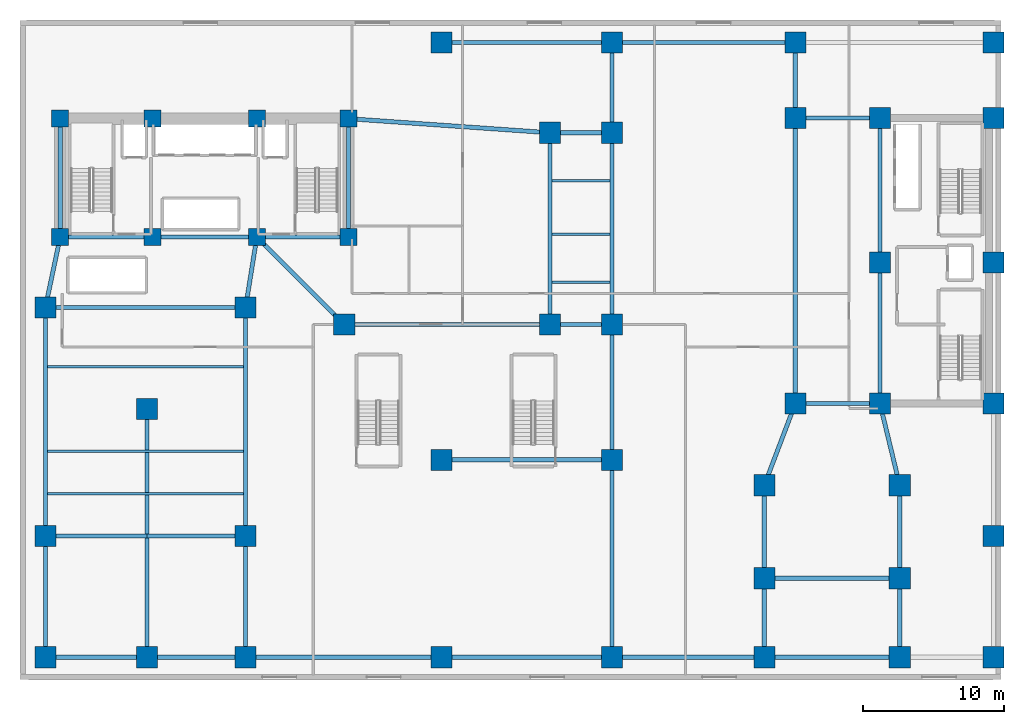
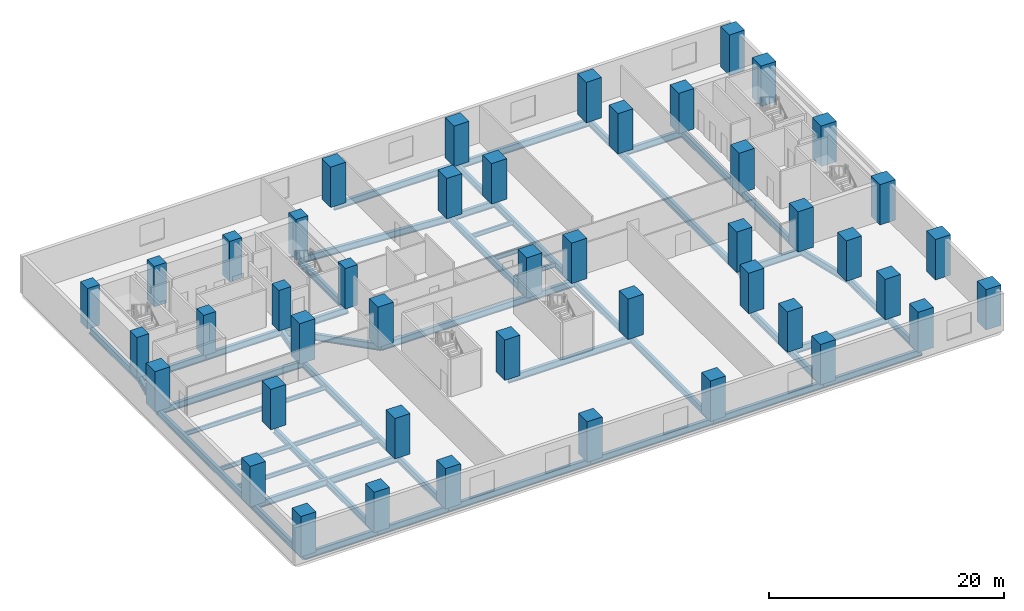
# One storey, part 1 of 8: 54 beams, 45 columns.
"""IFC4 building model written with IfcOpenShell, lengths in metres."""

import ifcopenshell
import ifcopenshell.guid

model = None  # the IFC model being written
_history = None  # IfcOwnerHistory: only IFC2X3 demands one
_inside = {}  # id of a spatial element -> (the spatial element, [elements in it])
_under = {}  # id of a project, library or spatial element -> (it, [spatial elements below it])
_declared = {}  # id of a project -> (the project, [libraries it declares])
_typed = {}  # id of a type object -> (the type object, [elements of that type])
_made_of = {}  # id of a material, layer set ... -> (it, [elements and type objects made of it])


def new_model(schema):
    """Start an empty IFC model of exactly this schema.

    Asked for "IFC4X3", IfcOpenShell would pick the latest addendum, in which some entities
    have other attributes; the version numbers below select the first issue.
    IFC2X3 requires an IfcOwnerHistory on every rooted entity: one is made here for all.
    """
    global model, _history
    if schema == "IFC4X3":
        model = ifcopenshell.file(schema_version=(4, 3, 0, 0))
    else:
        model = ifcopenshell.file(schema=schema)
    _inside.clear()
    _under.clear()
    _declared.clear()
    _typed.clear()
    _made_of.clear()
    _history = None
    if model.schema == "IFC2X3":
        org = make("IfcOrganization", Name="unknown")
        user = make(
            "IfcPersonAndOrganization",
            ThePerson=make("IfcPerson", FamilyName="unknown"),
            TheOrganization=org,
        )
        app = make(
            "IfcApplication",
            ApplicationDeveloper=org,
            Version="unknown",
            ApplicationFullName="unknown",
            ApplicationIdentifier="unknown",
        )
        _history = make(
            "IfcOwnerHistory",
            OwningUser=user,
            OwningApplication=app,
            ChangeAction="ADDED",
            CreationDate=0,
        )
    return model


def make(cls, **values):
    """One entity of the class cls with the attributes given. An attribute that is None is left unset."""
    return model.create_entity(
        cls, **{name: value for name, value in values.items() if value is not None}
    )


def rooted(cls, **values):
    """An entity with a GlobalId (a new one), such as an element, a storey or a relation."""
    return make(cls, GlobalId=ifcopenshell.guid.new(), OwnerHistory=_history, **values)


def si_unit(unit_type, name, prefix=None):
    """IfcSIUnit, for example si_unit("LENGTHUNIT", "METRE", prefix="MILLI")."""
    return make("IfcSIUnit", UnitType=unit_type, Prefix=prefix, Name=name)


def assignment(units):
    """IfcUnitAssignment: the units of a project."""
    return None if units is None else make("IfcUnitAssignment", Units=units)


def point(xyz):
    """IfcCartesianPoint."""
    return None if xyz is None else make("IfcCartesianPoint", Coordinates=xyz)


def direction(xyz):
    """IfcDirection."""
    return None if xyz is None else make("IfcDirection", DirectionRatios=xyz)


def frame(location, z_axis=None, x_axis=None):
    """IfcAxis2Placement3D, a coordinate frame: its origin and axes. An axis left out is left unset."""
    return make(
        "IfcAxis2Placement3D",
        Location=point(location),
        Axis=direction(z_axis),
        RefDirection=direction(x_axis),
    )


def frame_2d(location, x_axis=None):
    """IfcAxis2Placement2D, a coordinate frame in the plane: its origin and x axis."""
    return make(
        "IfcAxis2Placement2D", Location=point(location), RefDirection=direction(x_axis)
    )


def origin():
    """The frame at (0, 0, 0) with its axes left unset."""
    return frame((0.0, 0.0, 0.0))


def origin_2d():
    """The frame at (0, 0) in the plane with its x axis left unset."""
    return frame_2d((0.0, 0.0))


def place(relative_to, where):
    """IfcLocalPlacement: puts the frame where relative to a parent placement (None: the world)."""
    return make(
        "IfcLocalPlacement", PlacementRelTo=relative_to, RelativePlacement=where
    )


def context(
    kind, dimensions, precision=None, world=None, true_north=None, identifier=None
):
    """IfcGeometricRepresentationContext, for example the 3D "Model" context."""
    return make(
        "IfcGeometricRepresentationContext",
        ContextIdentifier=identifier,
        ContextType=kind,
        CoordinateSpaceDimension=dimensions,
        Precision=precision,
        WorldCoordinateSystem=world,
        TrueNorth=true_north,
    )


def subcontext(parent, identifier, kind, view, scale=None):
    """IfcGeometricRepresentationSubContext, for example "Body" below "Model"."""
    return make(
        "IfcGeometricRepresentationSubContext",
        ContextIdentifier=identifier,
        ContextType=kind,
        ParentContext=parent,
        TargetScale=scale,
        TargetView=view,
    )


def project(units=None, contexts=None):
    """IfcProject with its units and contexts."""
    return rooted(
        "IfcProject",
        Name="project",
        RepresentationContexts=contexts,
        UnitsInContext=assignment(units),
    )


def spatial(cls, under=None, at=None, **own):
    """A site, building, storey or space (cls), placed at a placement, below another one or the project."""
    s = rooted(cls, ObjectPlacement=at, **own)
    if under is not None:
        _under.setdefault(under.id(), (under, []))[1].append(s)
    return s


def profile(cls, at=None, kind="AREA", **sizes):
    """A parametric profile (cls). Its sizes go by their IFC names, for example OverallWidth=200.0."""
    return make(cls, ProfileType=kind, Position=at, **sizes)


def rectangle(**sizes):
    """IfcRectangleProfileDef."""
    return profile("IfcRectangleProfileDef", **sizes)


def i_section(**sizes):
    """IfcIShapeProfileDef."""
    return profile("IfcIShapeProfileDef", **sizes)


def extrude(swept, where, along, depth):
    """IfcExtrudedAreaSolid: the profile swept, set in the frame where, extruded along a direction by depth."""
    return make(
        "IfcExtrudedAreaSolid",
        SweptArea=swept,
        Position=where,
        ExtrudedDirection=direction(along),
        Depth=depth,
    )


def shape(context_of_items, identifier, shape_type, items):
    """IfcShapeRepresentation: the items that make up one representation, for example the "Body"."""
    return make(
        "IfcShapeRepresentation",
        ContextOfItems=context_of_items,
        RepresentationIdentifier=identifier,
        RepresentationType=shape_type,
        Items=items,
    )


def material(Name=None, Category=None):
    """IfcMaterial."""
    return make("IfcMaterial", Name=Name, Category=Category)


def material_profile(
    of_material, cross_section, Name=None, Category=None, Priority=None
):
    """IfcMaterialProfile: a cross section and its material."""
    return make(
        "IfcMaterialProfile",
        Name=Name,
        Material=of_material,
        Profile=cross_section,
        Priority=Priority,
        Category=Category,
    )


def profile_set(profiles, Name=None, composite=None):
    """IfcMaterialProfileSet."""
    return make(
        "IfcMaterialProfileSet",
        Name=Name,
        MaterialProfiles=profiles,
        CompositeProfile=composite,
    )


def made_of(thing, what):
    """Note that an element or type object is made of a material, layer set ...; save() writes the relation."""
    if what is not None:
        _made_of.setdefault(what.id(), (what, []))[1].append(thing)
    return thing


def type_object(cls, material=None, **own):
    """A type object (cls), such as IfcWallType, which elements share."""
    return made_of(rooted(cls, **own), material)


def element(
    cls,
    number,
    at=None,
    inside=None,
    cuts=None,
    type_object=None,
    material=None,
    context=None,
    identifier="Body",
    shape_type=None,
    held_by="IfcProductDefinitionShape",
    body=None,
    shapes=None,
    **own,
):
    """One element of the class cls, such as IfcWall. Its Tag is "e" and its number.

    at: its placement. inside: the storey or other place that contains it. cuts: it is an
    opening in that element (IfcRelVoidsElement). A single representation is given by context,
    identifier, shape_type and body (its items); several are given by shapes. held_by: the class
    of the entity that holds the representations. save() writes the other relations.
    """
    e = rooted(cls, Tag="e%d" % number, ObjectPlacement=at, **own)
    if body is not None:
        shapes = [shape(context, identifier, shape_type, body)]
    if shapes is not None:
        e.Representation = make(held_by, Representations=shapes)
    if inside is not None:
        _inside.setdefault(inside.id(), (inside, []))[1].append(e)
    if cuts is not None:
        rooted(
            "IfcRelVoidsElement", RelatingBuildingElement=cuts, RelatedOpeningElement=e
        )
    if type_object is not None:
        _typed.setdefault(type_object.id(), (type_object, []))[1].append(e)
    return made_of(e, material)


def aggregate(whole, parts):
    """IfcRelAggregates: a whole, such as a stair, and the parts it consists of."""
    return rooted("IfcRelAggregates", RelatingObject=whole, RelatedObjects=parts)


def save(model, path):
    """Write the relations noted so far, then the file.

    IfcRelAggregates (storeys below a building ...), IfcRelContainedInSpatialStructure (elements
    in a storey), IfcRelDefinesByType, IfcRelAssociatesMaterial and IfcRelDeclares: one each for
    every whole, place, type object, material and project.
    """
    for whole, parts in _under.values():
        aggregate(whole, parts)
    for where, things in _inside.values():
        rooted(
            "IfcRelContainedInSpatialStructure",
            RelatedElements=things,
            RelatingStructure=where,
        )
    for kind, things in _typed.values():
        rooted("IfcRelDefinesByType", RelatedObjects=things, RelatingType=kind)
    for what, things in _made_of.values():
        rooted("IfcRelAssociatesMaterial", RelatedObjects=things, RelatingMaterial=what)
    for by, libraries in _declared.values():
        rooted("IfcRelDeclares", RelatingContext=by, RelatedDefinitions=libraries)
    model.write(path)


model = new_model("IFC4")

# Units and contexts
model_context = context("Model", 3, precision=1e-05, world=origin(), true_north=direction((0.0, 1.0)))
body_context = subcontext(model_context, "Body", "Model", "MODEL_VIEW")
ifc_project = project(units=[si_unit("LENGTHUNIT", "METRE"), si_unit("AREAUNIT", "SQUARE_METRE"), si_unit("VOLUMEUNIT", "CUBIC_METRE"), si_unit("PLANEANGLEUNIT", "RADIAN"), si_unit("MASSUNIT", "GRAM", prefix="KILO")], contexts=[model_context])

# Site, building, storey
site_placement = place(None, origin())
site = spatial("IfcSite", under=ifc_project, at=site_placement, CompositionType="ELEMENT")
building_placement = place(site_placement, origin())
building = spatial("IfcBuilding", under=site, at=building_placement, Name="Kuzgunbayir Cultural Tower", CompositionType="ELEMENT")
storey_placement = place(building_placement, frame((0.0, 0.0, 17.60009765625)))
storey = spatial("IfcBuildingStorey", under=building, at=storey_placement, Name="L04", CompositionType="ELEMENT", Elevation=17.60009765625)

# Columns
ifc_material_1 = material(Name="Concrete C60/75", Category="concrete")
ifc_material_profile_1 = material_profile(ifc_material_1, rectangle(XDim=1.199951171875, YDim=1.199951171875, at=origin_2d()), Name="RC 1200x1200")
ifc_profile_set_1 = profile_set([ifc_material_profile_1], Name="Concrete C60/75")
column_type_1 = type_object("IfcColumnType", Name="COL-CORE-1200", PredefinedType="COLUMN", material=ifc_profile_set_1)
for number, where, z_axis, x_axis, name in (
    (1, (6.449951171875, 33.800048828125, 0.0), (0.0, 0.0, 1.0), (1.0, 0.0, 0.0), "L04 T1 Core Boundary Column CC1-1"),
    (2, (13.0, 33.800048828125, 0.0), (0.0, 0.0, 1.0), (1.0, 0.0, 0.0), "L04 T1 Core Boundary Column CC1-2"),
    (3, (20.39990234375, 33.800048828125, 0.0), (0.0, 0.0, 1.0), (1.0, 0.0, 0.0), "L04 T1 Core Boundary Column CC1-3"),
    (4, (26.89990234375, 33.800048828125, 0.0), (0.0, 0.0, 1.0), (1.0, 0.0, 0.0), "L04 T1 Core Boundary Column CC1-4"),
    (5, (6.449951171875, 42.199951171875, 0.0), (0.0, 0.0, 1.0), (1.0, 0.0, 0.0), "L04 T1 Core Boundary Column CC1-5"),
    (6, (13.0, 42.199951171875, 0.0), (0.0, 0.0, 1.0), (1.0, 0.0, 0.0), "L04 T1 Core Boundary Column CC1-6"),
    (7, (20.39990234375, 42.199951171875, 0.0), (0.0, 0.0, 1.0), (1.0, 0.0, 0.0), "L04 T1 Core Boundary Column CC1-7"),
    (8, (26.89990234375, 42.199951171875, 0.0), (0.0, 0.0, 1.0), (1.0, 0.0, 0.0), "L04 T1 Core Boundary Column CC1-8"),
):
    element("IfcColumn", number, at=place(storey_placement, frame(where, z_axis=z_axis, x_axis=x_axis)), inside=storey, type_object=column_type_1, Name=name, PredefinedType="COLUMN", context=body_context, shape_type="SweptSolid", body=[
        extrude(rectangle(XDim=1.199951171875, YDim=1.199951171875, at=origin_2d()), origin(), (0.0, 0.0, 1.0), 4.199951171875),
    ])
ifc_material_profile_2 = material_profile(ifc_material_1, rectangle(XDim=1.5, YDim=1.5, at=origin_2d()), Name="RC 1500x1500")
ifc_profile_set_2 = profile_set([ifc_material_profile_2], Name="Concrete C60/75")
column_type_2 = type_object("IfcColumnType", Name="COL-MEGA-1500", PredefinedType="COLUMN", material=ifc_profile_set_2)
for number, where, z_axis, x_axis, name in (
    (9, (64.60009765625, 22.0, 0.0), (0.0, 0.0, 1.0), (1.0, 0.0, 0.0), "L04 T2 Core Boundary Column CC2-1"),
    (10, (72.64990234375, 22.0, 0.0), (0.0, 0.0, 1.0), (1.0, 0.0, 0.0), "L04 T2 Core Boundary Column CC2-2"),
    (11, (64.60009765625, 32.0, 0.0), (0.0, 0.0, 1.0), (1.0, 0.0, 0.0), "L04 T2 Core Boundary Column CC2-3"),
    (12, (72.64990234375, 32.0, 0.0), (0.0, 0.0, 1.0), (1.0, 0.0, 0.0), "L04 T2 Core Boundary Column CC2-4"),
    (13, (64.60009765625, 42.25, 0.0), (0.0, 0.0, 1.0), (1.0, 0.0, 0.0), "L04 T2 Core Boundary Column CC2-5"),
    (14, (72.64990234375, 42.25, 0.0), (0.0, 0.0, 1.0), (1.0, 0.0, 0.0), "L04 T2 Core Boundary Column CC2-6"),
    (15, (5.39990234375, 12.60009765625, 0.0), (0.0, 0.0, 1.0), (1.0, 0.0, 0.0), "L04 Podium Mega-Column PC-T1A-SW"),
    (16, (19.60009765625, 12.60009765625, 0.0), (0.0, 0.0, 1.0), (1.0, 0.0, 0.0), "L04 Podium Mega-Column PC-T1A-SE"),
    (17, (5.39990234375, 28.800048828125, 0.0), (0.0, 0.0, 1.0), (1.0, 0.0, 0.0), "L04 Podium Mega-Column PC-T1A-NW"),
    (18, (19.60009765625, 28.800048828125, 0.0), (0.0, 0.0, 1.0), (1.0, 0.0, 0.0), "L04 Podium Mega-Column PC-T1A-NE"),
    (19, (26.60009765625, 27.60009765625, 0.0), (0.0, 0.0, 1.0), (1.0, 0.0, 0.0), "L04 Podium Mega-Column PC-T1B-1S"),
    (20, (41.199951171875, 27.60009765625, 0.0), (0.0, 0.0, 1.0), (1.0, 0.0, 0.0), "L04 Podium Mega-Column PC-T1B-4S"),
    (21, (45.60009765625, 27.60009765625, 0.0), (0.0, 0.0, 1.0), (1.0, 0.0, 0.0), "L04 Podium Mega-Column PC-T1B-5S"),
    (22, (41.199951171875, 41.199951171875, 0.0), (0.0, 0.0, 1.0), (1.0, 0.0, 0.0), "L04 Podium Mega-Column PC-T1B-4N"),
    (23, (45.60009765625, 41.199951171875, 0.0), (0.0, 0.0, 1.0), (1.0, 0.0, 0.0), "L04 Podium Mega-Column PC-T1B-5N"),
    (24, (58.60009765625, 22.0, 0.0), (0.0, 0.0, 1.0), (1.0, 0.0, 0.0), "L04 Podium Mega-Column PC-T2A-SW"),
    (25, (58.60009765625, 42.25, 0.0), (0.0, 0.0, 1.0), (1.0, 0.0, 0.0), "L04 Podium Mega-Column PC-T2A-NW"),
    (26, (56.39990234375, 9.60009765625, 0.0), (0.0, 0.0, 1.0), (1.0, 0.0, 0.0), "L04 Podium Mega-Column PC-T2B-SW"),
    (27, (66.0, 9.60009765625, 0.0), (0.0, 0.0, 1.0), (1.0, 0.0, 0.0), "L04 Podium Mega-Column PC-T2B-SE"),
    (28, (56.39990234375, 16.199951171875, 0.0), (0.0, 0.0, 1.0), (1.0, 0.0, 0.0), "L04 Podium Mega-Column PC-T2B-MW"),
    (29, (66.0, 16.199951171875, 0.0), (0.0, 0.0, 1.0), (1.0, 0.0, 0.0), "L04 Podium Mega-Column PC-T2B-ME"),
    (30, (5.39990234375, 4.0, 0.0), (0.0, 0.0, 1.0), (1.0, 0.0, 0.0), "L04 Podium Mega-Column PC-P01"),
    (31, (12.60009765625, 4.0, 0.0), (0.0, 0.0, 1.0), (1.0, 0.0, 0.0), "L04 Podium Mega-Column PC-P02"),
    (32, (19.60009765625, 4.0, 0.0), (0.0, 0.0, 1.0), (1.0, 0.0, 0.0), "L04 Podium Mega-Column PC-P03"),
    (33, (33.5, 4.0, 0.0), (0.0, 0.0, 1.0), (1.0, 0.0, 0.0), "L04 Podium Mega-Column PC-P04"),
    (34, (45.60009765625, 4.0, 0.0), (0.0, 0.0, 1.0), (1.0, 0.0, 0.0), "L04 Podium Mega-Column PC-P05"),
    (35, (56.39990234375, 4.0, 0.0), (0.0, 0.0, 1.0), (1.0, 0.0, 0.0), "L04 Podium Mega-Column PC-P06"),
    (36, (66.0, 4.0, 0.0), (0.0, 0.0, 1.0), (1.0, 0.0, 0.0), "L04 Podium Mega-Column PC-P07"),
    (37, (72.64990234375, 4.0, 0.0), (0.0, 0.0, 1.0), (1.0, 0.0, 0.0), "L04 Podium Mega-Column PC-P08"),
    (38, (12.60009765625, 21.60009765625, 0.0), (0.0, 0.0, 1.0), (1.0, 0.0, 0.0), "L04 Podium Mega-Column PC-P09"),
    (39, (33.5, 18.0, 0.0), (0.0, 0.0, 1.0), (1.0, 0.0, 0.0), "L04 Podium Mega-Column PC-P10"),
    (40, (45.60009765625, 18.0, 0.0), (0.0, 0.0, 1.0), (1.0, 0.0, 0.0), "L04 Podium Mega-Column PC-P11"),
    (41, (72.64990234375, 12.60009765625, 0.0), (0.0, 0.0, 1.0), (1.0, 0.0, 0.0), "L04 Podium Mega-Column PC-P12"),
    (42, (33.5, 47.60009765625, 0.0), (0.0, 0.0, 1.0), (1.0, 0.0, 0.0), "L04 Podium Mega-Column PC-P13"),
    (43, (45.60009765625, 47.60009765625, 0.0), (0.0, 0.0, 1.0), (1.0, 0.0, 0.0), "L04 Podium Mega-Column PC-P14"),
    (44, (58.60009765625, 47.60009765625, 0.0), (0.0, 0.0, 1.0), (1.0, 0.0, 0.0), "L04 Podium Mega-Column PC-P15"),
    (45, (72.64990234375, 47.60009765625, 0.0), (0.0, 0.0, 1.0), (1.0, 0.0, 0.0), "L04 Podium Mega-Column PC-P16"),
):
    element("IfcColumn", number, at=place(storey_placement, frame(where, z_axis=z_axis, x_axis=x_axis)), inside=storey, type_object=column_type_2, Name=name, PredefinedType="COLUMN", context=body_context, shape_type="SweptSolid", body=[
        extrude(rectangle(XDim=1.5, YDim=1.5, at=origin_2d()), origin(), (0.0, 0.0, 1.0), 4.199951171875),
    ])

# Beams
ifc_material_2 = material(Name="Steel S355J2", Category="steel")
ifc_material_profile_3 = material_profile(ifc_material_2, i_section(OverallWidth=0.300048828125, OverallDepth=0.699951171875, WebThickness=0.01708984375, FlangeThickness=0.031982421875, FilletRadius=0.027099609375, at=origin_2d()), Name="HEB 700")
ifc_profile_set_3 = profile_set([ifc_material_profile_3], Name="Steel S355J2")
beam_type_1 = type_object("IfcBeamType", Name="BM-GIR-HEB700", PredefinedType="BEAM", material=ifc_profile_set_3)
beam_1_placement = place(storey_placement, frame((5.39990234375, 4.0, -0.60009765625), z_axis=(1.0, 0.0, 0.0), x_axis=(0.0, 1.0, 0.0)))
element("IfcBeam", 46, at=beam_1_placement, inside=storey, type_object=beam_type_1, Name="L04 Podium South Girder 1", PredefinedType="BEAM", context=body_context, shape_type="SweptSolid", body=[
    extrude(i_section(OverallWidth=0.300048828125, OverallDepth=0.699951171875, WebThickness=0.01708984375, FlangeThickness=0.031982421875, FilletRadius=0.027099609375, at=origin_2d()), origin(), (0.0, 0.0, 1.0), 7.2001953125),
])
beam_2_placement = place(storey_placement, frame((12.60009765625, 4.0, -0.60009765625), z_axis=(1.0, 0.0, 0.0), x_axis=(0.0, 1.0, 0.0)))
element("IfcBeam", 47, at=beam_2_placement, inside=storey, type_object=beam_type_1, Name="L04 Podium South Girder 2", PredefinedType="BEAM", context=body_context, shape_type="SweptSolid", body=[
    extrude(i_section(OverallWidth=0.300048828125, OverallDepth=0.699951171875, WebThickness=0.01708984375, FlangeThickness=0.031982421875, FilletRadius=0.027099609375, at=origin_2d()), origin(), (0.0, 0.0, 1.0), 7.0),
])
beam_3_placement = place(storey_placement, frame((19.60009765625, 4.0, -0.60009765625), z_axis=(1.0, 0.0, 0.0), x_axis=(0.0, 1.0, 0.0)))
element("IfcBeam", 48, at=beam_3_placement, inside=storey, type_object=beam_type_1, Name="L04 Podium South Girder 3", PredefinedType="BEAM", context=body_context, shape_type="SweptSolid", body=[
    extrude(i_section(OverallWidth=0.300048828125, OverallDepth=0.699951171875, WebThickness=0.01708984375, FlangeThickness=0.031982421875, FilletRadius=0.027099609375, at=origin_2d()), origin(), (0.0, 0.0, 1.0), 13.89990234375),
])
beam_4_placement = place(storey_placement, frame((33.5, 4.0, -0.60009765625), z_axis=(1.0, 0.0, 0.0), x_axis=(0.0, 1.0, 0.0)))
element("IfcBeam", 49, at=beam_4_placement, inside=storey, type_object=beam_type_1, Name="L04 Podium South Girder 4", PredefinedType="BEAM", context=body_context, shape_type="SweptSolid", body=[
    extrude(i_section(OverallWidth=0.300048828125, OverallDepth=0.699951171875, WebThickness=0.01708984375, FlangeThickness=0.031982421875, FilletRadius=0.027099609375, at=origin_2d()), origin(), (0.0, 0.0, 1.0), 12.10009765625),
])
beam_5_placement = place(storey_placement, frame((45.60009765625, 4.0, -0.60009765625), z_axis=(1.0, 0.0, 0.0), x_axis=(0.0, 1.0, 0.0)))
element("IfcBeam", 50, at=beam_5_placement, inside=storey, type_object=beam_type_1, Name="L04 Podium South Girder 5", PredefinedType="BEAM", context=body_context, shape_type="SweptSolid", body=[
    extrude(i_section(OverallWidth=0.300048828125, OverallDepth=0.699951171875, WebThickness=0.01708984375, FlangeThickness=0.031982421875, FilletRadius=0.027099609375, at=origin_2d()), origin(), (0.0, 0.0, 1.0), 10.7998046875),
])
beam_6_placement = place(storey_placement, frame((56.39990234375, 4.0, -0.60009765625), z_axis=(1.0, 0.0, 0.0), x_axis=(0.0, 1.0, 0.0)))
element("IfcBeam", 51, at=beam_6_placement, inside=storey, type_object=beam_type_1, Name="L04 Podium South Girder 6", PredefinedType="BEAM", context=body_context, shape_type="SweptSolid", body=[
    extrude(i_section(OverallWidth=0.300048828125, OverallDepth=0.699951171875, WebThickness=0.01708984375, FlangeThickness=0.031982421875, FilletRadius=0.027099609375, at=origin_2d()), origin(), (0.0, 0.0, 1.0), 9.60009765625),
])
beam_7_placement = place(storey_placement, frame((33.5, 47.60009765625, -0.60009765625), z_axis=(1.0, 0.0, 0.0), x_axis=(0.0, 1.0, 0.0)))
element("IfcBeam", 52, at=beam_7_placement, inside=storey, type_object=beam_type_1, Name="L04 Podium North Girder 1", PredefinedType="BEAM", context=body_context, shape_type="SweptSolid", body=[
    extrude(i_section(OverallWidth=0.300048828125, OverallDepth=0.699951171875, WebThickness=0.01708984375, FlangeThickness=0.031982421875, FilletRadius=0.027099609375, at=origin_2d()), origin(), (0.0, 0.0, 1.0), 12.10009765625),
])
beam_8_placement = place(storey_placement, frame((45.60009765625, 47.60009765625, -0.60009765625), z_axis=(1.0, 0.0, 0.0), x_axis=(0.0, 1.0, 0.0)))
element("IfcBeam", 53, at=beam_8_placement, inside=storey, type_object=beam_type_1, Name="L04 Podium North Girder 2", PredefinedType="BEAM", context=body_context, shape_type="SweptSolid", body=[
    extrude(i_section(OverallWidth=0.300048828125, OverallDepth=0.699951171875, WebThickness=0.01708984375, FlangeThickness=0.031982421875, FilletRadius=0.027099609375, at=origin_2d()), origin(), (0.0, 0.0, 1.0), 13.0),
])
beam_9_placement = place(storey_placement, frame((5.39990234375, 12.60009765625, -0.60009765625), z_axis=(1.0, 0.0, 0.0), x_axis=(0.0, 1.0, 0.0)))
element("IfcBeam", 54, at=beam_9_placement, inside=storey, type_object=beam_type_1, Name="L04 Podium Primary Girder 1", PredefinedType="BEAM", context=body_context, shape_type="SweptSolid", body=[
    extrude(i_section(OverallWidth=0.300048828125, OverallDepth=0.699951171875, WebThickness=0.01708984375, FlangeThickness=0.031982421875, FilletRadius=0.027099609375, at=origin_2d()), origin(), (0.0, 0.0, 1.0), 7.2001953125),
])
beam_10_placement = place(storey_placement, frame((12.60009765625, 12.60009765625, -0.60009765625), z_axis=(1.0, 0.0, 0.0), x_axis=(0.0, 1.0, 0.0)))
element("IfcBeam", 55, at=beam_10_placement, inside=storey, type_object=beam_type_1, Name="L04 Podium Primary Girder 2", PredefinedType="BEAM", context=body_context, shape_type="SweptSolid", body=[
    extrude(i_section(OverallWidth=0.300048828125, OverallDepth=0.699951171875, WebThickness=0.01708984375, FlangeThickness=0.031982421875, FilletRadius=0.027099609375, at=origin_2d()), origin(), (0.0, 0.0, 1.0), 7.0),
])
beam_11_placement = place(storey_placement, frame((5.39990234375, 28.800048828125, -0.60009765625), z_axis=(1.0, 0.0, 0.0), x_axis=(0.0, 1.0, 0.0)))
element("IfcBeam", 56, at=beam_11_placement, inside=storey, type_object=beam_type_1, Name="L04 Podium Primary Girder 3", PredefinedType="BEAM", context=body_context, shape_type="SweptSolid", body=[
    extrude(i_section(OverallWidth=0.300048828125, OverallDepth=0.699951171875, WebThickness=0.01708984375, FlangeThickness=0.031982421875, FilletRadius=0.027099609375, at=origin_2d()), origin(), (0.0, 0.0, 1.0), 14.2001953125),
])
for number, where, z_axis, x_axis, name in (
    (57, (5.39990234375, 12.60009765625, -0.60009765625), (0.0, 1.0, 0.0), (-1.0, 0.0, 0.0), "L04 Podium Primary Girder 4"),
    (58, (19.60009765625, 12.60009765625, -0.60009765625), (0.0, 1.0, 0.0), (-1.0, 0.0, 0.0), "L04 Podium Primary Girder 5"),
):
    element("IfcBeam", number, at=place(storey_placement, frame(where, z_axis=z_axis, x_axis=x_axis)), inside=storey, type_object=beam_type_1, Name=name, PredefinedType="BEAM", context=body_context, shape_type="SweptSolid", body=[
        extrude(i_section(OverallWidth=0.300048828125, OverallDepth=0.699951171875, WebThickness=0.01708984375, FlangeThickness=0.031982421875, FilletRadius=0.027099609375, at=origin_2d()), origin(), (0.0, 0.0, 1.0), 16.199951171875),
    ])
beam_12_placement = place(storey_placement, frame((12.60009765625, 12.60009765625, -0.60009765625), z_axis=(0.0, 1.0, 0.0), x_axis=(-1.0, 0.0, 0.0)))
element("IfcBeam", 59, at=beam_12_placement, inside=storey, type_object=beam_type_1, Name="L04 Podium Primary Girder 6", PredefinedType="BEAM", context=body_context, shape_type="SweptSolid", body=[
    extrude(i_section(OverallWidth=0.300048828125, OverallDepth=0.699951171875, WebThickness=0.01708984375, FlangeThickness=0.031982421875, FilletRadius=0.027099609375, at=origin_2d()), origin(), (0.0, 0.0, 1.0), 9.0),
])
beam_13_placement = place(storey_placement, frame((5.39990234375, 28.800048828125, -0.60009765625), z_axis=(0.205526387753, 0.978651574329, 0.0), x_axis=(-0.978651574329, 0.205526387753, 0.0)))
element("IfcBeam", 60, at=beam_13_placement, inside=storey, type_object=beam_type_1, Name="L04 Podium Primary Girder 7", PredefinedType="BEAM", context=body_context, shape_type="SweptSolid", body=[
    extrude(i_section(OverallWidth=0.300048828125, OverallDepth=0.699951171875, WebThickness=0.01708984375, FlangeThickness=0.031982421875, FilletRadius=0.027099609375, at=origin_2d()), origin(), (0.0, 0.0, 1.0), 5.109130859375),
])
beam_14_placement = place(storey_placement, frame((19.60009765625, 28.800048828125, -0.60009765625), z_axis=(0.157952891656, 0.987446648694, 0.0), x_axis=(-0.987446648694, 0.157952891656, 0.0)))
element("IfcBeam", 61, at=beam_14_placement, inside=storey, type_object=beam_type_1, Name="L04 Podium Primary Girder 8", PredefinedType="BEAM", context=body_context, shape_type="SweptSolid", body=[
    extrude(i_section(OverallWidth=0.300048828125, OverallDepth=0.699951171875, WebThickness=0.01708984375, FlangeThickness=0.031982421875, FilletRadius=0.027099609375, at=origin_2d()), origin(), (0.0, 0.0, 1.0), 5.0634765625),
])
beam_15_placement = place(storey_placement, frame((20.39990234375, 33.800048828125, -0.60009765625), z_axis=(0.707120702941, -0.707092859158, 0.0), x_axis=(0.707092859158, 0.707120702941, 0.0)))
element("IfcBeam", 62, at=beam_15_placement, inside=storey, type_object=beam_type_1, Name="L04 Podium Primary Girder 9", PredefinedType="BEAM", context=body_context, shape_type="SweptSolid", body=[
    extrude(i_section(OverallWidth=0.300048828125, OverallDepth=0.699951171875, WebThickness=0.01708984375, FlangeThickness=0.031982421875, FilletRadius=0.027099609375, at=origin_2d()), origin(), (0.0, 0.0, 1.0), 8.768310546875),
])
beam_16_placement = place(storey_placement, frame((26.60009765625, 27.60009765625, -0.60009765625), z_axis=(1.0, 0.0, 0.0), x_axis=(0.0, 1.0, 0.0)))
element("IfcBeam", 63, at=beam_16_placement, inside=storey, type_object=beam_type_1, Name="L04 Podium Primary Girder 10", PredefinedType="BEAM", context=body_context, shape_type="SweptSolid", body=[
    extrude(i_section(OverallWidth=0.300048828125, OverallDepth=0.699951171875, WebThickness=0.01708984375, FlangeThickness=0.031982421875, FilletRadius=0.027099609375, at=origin_2d()), origin(), (0.0, 0.0, 1.0), 14.599853515625),
])
beam_17_placement = place(storey_placement, frame((41.199951171875, 27.60009765625, -0.60009765625), z_axis=(1.0, 0.0, 0.0), x_axis=(0.0, 1.0, 0.0)))
element("IfcBeam", 64, at=beam_17_placement, inside=storey, type_object=beam_type_1, Name="L04 Podium Primary Girder 11", PredefinedType="BEAM", context=body_context, shape_type="SweptSolid", body=[
    extrude(i_section(OverallWidth=0.300048828125, OverallDepth=0.699951171875, WebThickness=0.01708984375, FlangeThickness=0.031982421875, FilletRadius=0.027099609375, at=origin_2d()), origin(), (0.0, 0.0, 1.0), 4.400146484375),
])
beam_18_placement = place(storey_placement, frame((26.89990234375, 42.199951171875, -0.60009765625), z_axis=(0.997563840671, -0.06975947094, 0.0), x_axis=(0.06975947094, 0.997563840671, 0.0)))
element("IfcBeam", 65, at=beam_18_placement, inside=storey, type_object=beam_type_1, Name="L04 Podium Primary Girder 12", PredefinedType="BEAM", context=body_context, shape_type="SweptSolid", body=[
    extrude(i_section(OverallWidth=0.300048828125, OverallDepth=0.699951171875, WebThickness=0.01708984375, FlangeThickness=0.031982421875, FilletRadius=0.027099609375, at=origin_2d()), origin(), (0.0, 0.0, 1.0), 14.3349609375),
])
beam_19_placement = place(storey_placement, frame((41.199951171875, 41.199951171875, -0.60009765625), z_axis=(1.0, 0.0, 0.0), x_axis=(0.0, 1.0, 0.0)))
element("IfcBeam", 66, at=beam_19_placement, inside=storey, type_object=beam_type_1, Name="L04 Podium Primary Girder 13", PredefinedType="BEAM", context=body_context, shape_type="SweptSolid", body=[
    extrude(i_section(OverallWidth=0.300048828125, OverallDepth=0.699951171875, WebThickness=0.01708984375, FlangeThickness=0.031982421875, FilletRadius=0.027099609375, at=origin_2d()), origin(), (0.0, 0.0, 1.0), 4.400146484375),
])
for number, where, z_axis, x_axis, name in (
    (67, (41.199951171875, 27.60009765625, -0.60009765625), (0.0, 1.0, 0.0), (-1.0, 0.0, 0.0), "L04 Podium Primary Girder 14"),
    (68, (45.60009765625, 27.60009765625, -0.60009765625), (0.0, 1.0, 0.0), (-1.0, 0.0, 0.0), "L04 Podium Primary Girder 15"),
):
    element("IfcBeam", number, at=place(storey_placement, frame(where, z_axis=z_axis, x_axis=x_axis)), inside=storey, type_object=beam_type_1, Name=name, PredefinedType="BEAM", context=body_context, shape_type="SweptSolid", body=[
        extrude(i_section(OverallWidth=0.300048828125, OverallDepth=0.699951171875, WebThickness=0.01708984375, FlangeThickness=0.031982421875, FilletRadius=0.027099609375, at=origin_2d()), origin(), (0.0, 0.0, 1.0), 13.599853515625),
    ])
beam_20_placement = place(storey_placement, frame((33.5, 18.0, -0.60009765625), z_axis=(1.0, 0.0, 0.0), x_axis=(0.0, 1.0, 0.0)))
element("IfcBeam", 69, at=beam_20_placement, inside=storey, type_object=beam_type_1, Name="L04 Podium Primary Girder 16", PredefinedType="BEAM", context=body_context, shape_type="SweptSolid", body=[
    extrude(i_section(OverallWidth=0.300048828125, OverallDepth=0.699951171875, WebThickness=0.01708984375, FlangeThickness=0.031982421875, FilletRadius=0.027099609375, at=origin_2d()), origin(), (0.0, 0.0, 1.0), 12.10009765625),
])
for number, where, z_axis, x_axis, name in (
    (70, (45.60009765625, 18.0, -0.60009765625), (0.0, 1.0, 0.0), (-1.0, 0.0, 0.0), "L04 Podium Primary Girder 17"),
    (71, (56.39990234375, 9.60009765625, -0.60009765625), (1.0, 0.0, 0.0), (0.0, 1.0, 0.0), "L04 Podium Primary Girder 18"),
):
    element("IfcBeam", number, at=place(storey_placement, frame(where, z_axis=z_axis, x_axis=x_axis)), inside=storey, type_object=beam_type_1, Name=name, PredefinedType="BEAM", context=body_context, shape_type="SweptSolid", body=[
        extrude(i_section(OverallWidth=0.300048828125, OverallDepth=0.699951171875, WebThickness=0.01708984375, FlangeThickness=0.031982421875, FilletRadius=0.027099609375, at=origin_2d()), origin(), (0.0, 0.0, 1.0), 9.60009765625),
    ])
beam_21_placement = place(storey_placement, frame((56.39990234375, 9.60009765625, -0.60009765625), z_axis=(0.0, 1.0, 0.0), x_axis=(-1.0, 0.0, 0.0)))
element("IfcBeam", 72, at=beam_21_placement, inside=storey, type_object=beam_type_1, Name="L04 Podium Primary Girder 19", PredefinedType="BEAM", context=body_context, shape_type="SweptSolid", body=[
    extrude(i_section(OverallWidth=0.300048828125, OverallDepth=0.699951171875, WebThickness=0.01708984375, FlangeThickness=0.031982421875, FilletRadius=0.027099609375, at=origin_2d()), origin(), (0.0, 0.0, 1.0), 6.599853515625),
])
beam_22_placement = place(storey_placement, frame((56.39990234375, 16.199951171875, -0.60009765625), z_axis=(0.354679148754, 0.93498807556, 0.0), x_axis=(-0.93498807556, 0.354679148754, 0.0)))
element("IfcBeam", 73, at=beam_22_placement, inside=storey, type_object=beam_type_1, Name="L04 Podium Primary Girder 20", PredefinedType="BEAM", context=body_context, shape_type="SweptSolid", body=[
    extrude(i_section(OverallWidth=0.300048828125, OverallDepth=0.699951171875, WebThickness=0.01708984375, FlangeThickness=0.031982421875, FilletRadius=0.027099609375, at=origin_2d()), origin(), (0.0, 0.0, 1.0), 6.203369140625),
])
beam_23_placement = place(storey_placement, frame((66.0, 9.60009765625, -0.60009765625), z_axis=(0.0, 1.0, 0.0), x_axis=(-1.0, 0.0, 0.0)))
element("IfcBeam", 74, at=beam_23_placement, inside=storey, type_object=beam_type_1, Name="L04 Podium Primary Girder 21", PredefinedType="BEAM", context=body_context, shape_type="SweptSolid", body=[
    extrude(i_section(OverallWidth=0.300048828125, OverallDepth=0.699951171875, WebThickness=0.01708984375, FlangeThickness=0.031982421875, FilletRadius=0.027099609375, at=origin_2d()), origin(), (0.0, 0.0, 1.0), 6.599853515625),
])
beam_24_placement = place(storey_placement, frame((66.0, 16.199951171875, -0.60009765625), z_axis=(-0.234623200431, 0.972086392158, 0.0), x_axis=(-0.972086392158, -0.234623200431, 0.0)))
element("IfcBeam", 75, at=beam_24_placement, inside=storey, type_object=beam_type_1, Name="L04 Podium Primary Girder 22", PredefinedType="BEAM", context=body_context, shape_type="SweptSolid", body=[
    extrude(i_section(OverallWidth=0.300048828125, OverallDepth=0.699951171875, WebThickness=0.01708984375, FlangeThickness=0.031982421875, FilletRadius=0.027099609375, at=origin_2d()), origin(), (0.0, 0.0, 1.0), 5.966552734375),
])
for number, where, z_axis, x_axis, name in (
    (76, (58.60009765625, 22.0, -0.60009765625), (1.0, 0.0, 0.0), (0.0, 1.0, 0.0), "L04 Podium Primary Girder 23"),
    (77, (58.60009765625, 42.25, -0.60009765625), (1.0, 0.0, 0.0), (0.0, 1.0, 0.0), "L04 Podium Primary Girder 24"),
):
    element("IfcBeam", number, at=place(storey_placement, frame(where, z_axis=z_axis, x_axis=x_axis)), inside=storey, type_object=beam_type_1, Name=name, PredefinedType="BEAM", context=body_context, shape_type="SweptSolid", body=[
        extrude(i_section(OverallWidth=0.300048828125, OverallDepth=0.699951171875, WebThickness=0.01708984375, FlangeThickness=0.031982421875, FilletRadius=0.027099609375, at=origin_2d()), origin(), (0.0, 0.0, 1.0), 6.0),
    ])
beam_25_placement = place(storey_placement, frame((58.60009765625, 22.0, -0.60009765625), z_axis=(0.0, 1.0, 0.0), x_axis=(-1.0, 0.0, 0.0)))
element("IfcBeam", 78, at=beam_25_placement, inside=storey, type_object=beam_type_1, Name="L04 Podium Primary Girder 25", PredefinedType="BEAM", context=body_context, shape_type="SweptSolid", body=[
    extrude(i_section(OverallWidth=0.300048828125, OverallDepth=0.699951171875, WebThickness=0.01708984375, FlangeThickness=0.031982421875, FilletRadius=0.027099609375, at=origin_2d()), origin(), (0.0, 0.0, 1.0), 20.25),
])
beam_26_placement = place(storey_placement, frame((64.60009765625, 22.0, -0.60009765625), z_axis=(0.0, 1.0, 0.0), x_axis=(-1.0, 0.0, 0.0)))
element("IfcBeam", 79, at=beam_26_placement, inside=storey, type_object=beam_type_1, Name="L04 Podium Primary Girder 26", PredefinedType="BEAM", context=body_context, shape_type="SweptSolid", body=[
    extrude(i_section(OverallWidth=0.300048828125, OverallDepth=0.699951171875, WebThickness=0.01708984375, FlangeThickness=0.031982421875, FilletRadius=0.027099609375, at=origin_2d()), origin(), (0.0, 0.0, 1.0), 10.0),
])
beam_27_placement = place(storey_placement, frame((64.60009765625, 32.0, -0.60009765625), z_axis=(0.0, 1.0, 0.0), x_axis=(-1.0, 0.0, 0.0)))
element("IfcBeam", 80, at=beam_27_placement, inside=storey, type_object=beam_type_1, Name="L04 Podium Primary Girder 27", PredefinedType="BEAM", context=body_context, shape_type="SweptSolid", body=[
    extrude(i_section(OverallWidth=0.300048828125, OverallDepth=0.699951171875, WebThickness=0.01708984375, FlangeThickness=0.031982421875, FilletRadius=0.027099609375, at=origin_2d()), origin(), (0.0, 0.0, 1.0), 10.25),
])
beam_28_placement = place(storey_placement, frame((6.449951171875, 33.800048828125, -0.60009765625), z_axis=(1.0, 0.0, 0.0), x_axis=(0.0, 1.0, 0.0)))
element("IfcBeam", 81, at=beam_28_placement, inside=storey, type_object=beam_type_1, Name="L04 Podium Primary Girder 28", PredefinedType="BEAM", context=body_context, shape_type="SweptSolid", body=[
    extrude(i_section(OverallWidth=0.300048828125, OverallDepth=0.699951171875, WebThickness=0.01708984375, FlangeThickness=0.031982421875, FilletRadius=0.027099609375, at=origin_2d()), origin(), (0.0, 0.0, 1.0), 6.550048828125),
])
beam_29_placement = place(storey_placement, frame((13.0, 33.800048828125, -0.60009765625), z_axis=(1.0, 0.0, 0.0), x_axis=(0.0, 1.0, 0.0)))
element("IfcBeam", 82, at=beam_29_placement, inside=storey, type_object=beam_type_1, Name="L04 Podium Primary Girder 29", PredefinedType="BEAM", context=body_context, shape_type="SweptSolid", body=[
    extrude(i_section(OverallWidth=0.300048828125, OverallDepth=0.699951171875, WebThickness=0.01708984375, FlangeThickness=0.031982421875, FilletRadius=0.027099609375, at=origin_2d()), origin(), (0.0, 0.0, 1.0), 7.39990234375),
])
beam_30_placement = place(storey_placement, frame((20.39990234375, 33.800048828125, -0.60009765625), z_axis=(1.0, 0.0, 0.0), x_axis=(0.0, 1.0, 0.0)))
element("IfcBeam", 83, at=beam_30_placement, inside=storey, type_object=beam_type_1, Name="L04 Podium Primary Girder 30", PredefinedType="BEAM", context=body_context, shape_type="SweptSolid", body=[
    extrude(i_section(OverallWidth=0.300048828125, OverallDepth=0.699951171875, WebThickness=0.01708984375, FlangeThickness=0.031982421875, FilletRadius=0.027099609375, at=origin_2d()), origin(), (0.0, 0.0, 1.0), 6.5),
])
for number, where, z_axis, x_axis, name in (
    (84, (6.449951171875, 33.800048828125, -0.60009765625), (0.0, 1.0, 0.0), (-1.0, 0.0, 0.0), "L04 Podium Primary Girder 31"),
    (85, (26.89990234375, 33.800048828125, -0.60009765625), (0.0, 1.0, 0.0), (-1.0, 0.0, 0.0), "L04 Podium Primary Girder 32"),
):
    element("IfcBeam", number, at=place(storey_placement, frame(where, z_axis=z_axis, x_axis=x_axis)), inside=storey, type_object=beam_type_1, Name=name, PredefinedType="BEAM", context=body_context, shape_type="SweptSolid", body=[
        extrude(i_section(OverallWidth=0.300048828125, OverallDepth=0.699951171875, WebThickness=0.01708984375, FlangeThickness=0.031982421875, FilletRadius=0.027099609375, at=origin_2d()), origin(), (0.0, 0.0, 1.0), 8.39990234375),
    ])
for number, where, z_axis, x_axis, name in (
    (86, (5.39990234375, 4.0, -0.60009765625), (0.0, 1.0, 0.0), (-1.0, 0.0, 0.0), "L04 Podium Primary Girder 33"),
    (87, (12.60009765625, 4.0, -0.60009765625), (0.0, 1.0, 0.0), (-1.0, 0.0, 0.0), "L04 Podium Primary Girder 34"),
    (88, (19.60009765625, 4.0, -0.60009765625), (0.0, 1.0, 0.0), (-1.0, 0.0, 0.0), "L04 Podium Primary Girder 35"),
):
    element("IfcBeam", number, at=place(storey_placement, frame(where, z_axis=z_axis, x_axis=x_axis)), inside=storey, type_object=beam_type_1, Name=name, PredefinedType="BEAM", context=body_context, shape_type="SweptSolid", body=[
        extrude(i_section(OverallWidth=0.300048828125, OverallDepth=0.699951171875, WebThickness=0.01708984375, FlangeThickness=0.031982421875, FilletRadius=0.027099609375, at=origin_2d()), origin(), (0.0, 0.0, 1.0), 8.60009765625),
    ])
beam_31_placement = place(storey_placement, frame((45.60009765625, 4.0, -0.60009765625), z_axis=(0.0, 1.0, 0.0), x_axis=(-1.0, 0.0, 0.0)))
element("IfcBeam", 89, at=beam_31_placement, inside=storey, type_object=beam_type_1, Name="L04 Podium Primary Girder 36", PredefinedType="BEAM", context=body_context, shape_type="SweptSolid", body=[
    extrude(i_section(OverallWidth=0.300048828125, OverallDepth=0.699951171875, WebThickness=0.01708984375, FlangeThickness=0.031982421875, FilletRadius=0.027099609375, at=origin_2d()), origin(), (0.0, 0.0, 1.0), 14.0),
])
for number, where, z_axis, x_axis, name in (
    (90, (56.39990234375, 4.0, -0.60009765625), (0.0, 1.0, 0.0), (-1.0, 0.0, 0.0), "L04 Podium Primary Girder 37"),
    (91, (66.0, 4.0, -0.60009765625), (0.0, 1.0, 0.0), (-1.0, 0.0, 0.0), "L04 Podium Primary Girder 38"),
):
    element("IfcBeam", number, at=place(storey_placement, frame(where, z_axis=z_axis, x_axis=x_axis)), inside=storey, type_object=beam_type_1, Name=name, PredefinedType="BEAM", context=body_context, shape_type="SweptSolid", body=[
        extrude(i_section(OverallWidth=0.300048828125, OverallDepth=0.699951171875, WebThickness=0.01708984375, FlangeThickness=0.031982421875, FilletRadius=0.027099609375, at=origin_2d()), origin(), (0.0, 0.0, 1.0), 5.60009765625),
    ])
beam_32_placement = place(storey_placement, frame((45.60009765625, 41.199951171875, -0.60009765625), z_axis=(0.0, 1.0, 0.0), x_axis=(-1.0, 0.0, 0.0)))
element("IfcBeam", 92, at=beam_32_placement, inside=storey, type_object=beam_type_1, Name="L04 Podium Primary Girder 41", PredefinedType="BEAM", context=body_context, shape_type="SweptSolid", body=[
    extrude(i_section(OverallWidth=0.300048828125, OverallDepth=0.699951171875, WebThickness=0.01708984375, FlangeThickness=0.031982421875, FilletRadius=0.027099609375, at=origin_2d()), origin(), (0.0, 0.0, 1.0), 6.400146484375),
])
beam_33_placement = place(storey_placement, frame((58.60009765625, 42.25, -0.60009765625), z_axis=(0.0, 1.0, 0.0), x_axis=(-1.0, 0.0, 0.0)))
element("IfcBeam", 93, at=beam_33_placement, inside=storey, type_object=beam_type_1, Name="L04 Podium Primary Girder 42", PredefinedType="BEAM", context=body_context, shape_type="SweptSolid", body=[
    extrude(i_section(OverallWidth=0.300048828125, OverallDepth=0.699951171875, WebThickness=0.01708984375, FlangeThickness=0.031982421875, FilletRadius=0.027099609375, at=origin_2d()), origin(), (0.0, 0.0, 1.0), 5.35009765625),
])
ifc_material_profile_4 = material_profile(ifc_material_2, i_section(OverallWidth=0.18994140625, OverallDepth=0.449951171875, WebThickness=0.009521484375, FlangeThickness=0.0146484375, FilletRadius=0.02099609375, at=origin_2d()), Name="IPE 450")
ifc_profile_set_4 = profile_set([ifc_material_profile_4], Name="Steel S355J2")
beam_type_2 = type_object("IfcBeamType", Name="BM-JST-IPE450", PredefinedType="JOIST", material=ifc_profile_set_4)
for number, where, z_axis, x_axis, name in (
    (94, (5.550048828125, 15.60009765625, -0.47998046875), (1.0, 0.0, 0.0), (0.0, 1.0, 0.0), "L04 Podium Joist A"),
    (95, (5.550048828125, 18.60009765625, -0.47998046875), (1.0, 0.0, 0.0), (0.0, 1.0, 0.0), "L04 Podium Joist A"),
    (96, (5.550048828125, 24.60009765625, -0.47998046875), (1.0, 0.0, 0.0), (0.0, 1.0, 0.0), "L04 Podium Joist A"),
):
    element("IfcBeam", number, at=place(storey_placement, frame(where, z_axis=z_axis, x_axis=x_axis)), inside=storey, type_object=beam_type_2, Name=name, PredefinedType="JOIST", context=body_context, shape_type="SweptSolid", body=[
        extrude(i_section(OverallWidth=0.18994140625, OverallDepth=0.449951171875, WebThickness=0.009521484375, FlangeThickness=0.0146484375, FilletRadius=0.02099609375, at=origin_2d()), origin(), (0.0, 0.0, 1.0), 13.89990234375),
    ])
for number, where, z_axis, x_axis, name in (
    (97, (41.35009765625, 30.60009765625, -0.47998046875), (1.0, 0.0, 0.0), (0.0, 1.0, 0.0), "L04 Podium Joist B"),
    (98, (41.35009765625, 34.0, -0.47998046875), (1.0, 0.0, 0.0), (0.0, 1.0, 0.0), "L04 Podium Joist B"),
    (99, (41.35009765625, 37.800048828125, -0.47998046875), (1.0, 0.0, 0.0), (0.0, 1.0, 0.0), "L04 Podium Joist B"),
):
    element("IfcBeam", number, at=place(storey_placement, frame(where, z_axis=z_axis, x_axis=x_axis)), inside=storey, type_object=beam_type_2, Name=name, PredefinedType="JOIST", context=body_context, shape_type="SweptSolid", body=[
        extrude(i_section(OverallWidth=0.18994140625, OverallDepth=0.449951171875, WebThickness=0.009521484375, FlangeThickness=0.0146484375, FilletRadius=0.02099609375, at=origin_2d()), origin(), (0.0, 0.0, 1.0), 4.099853515625),
    ])

save(model, "model.ifc")
